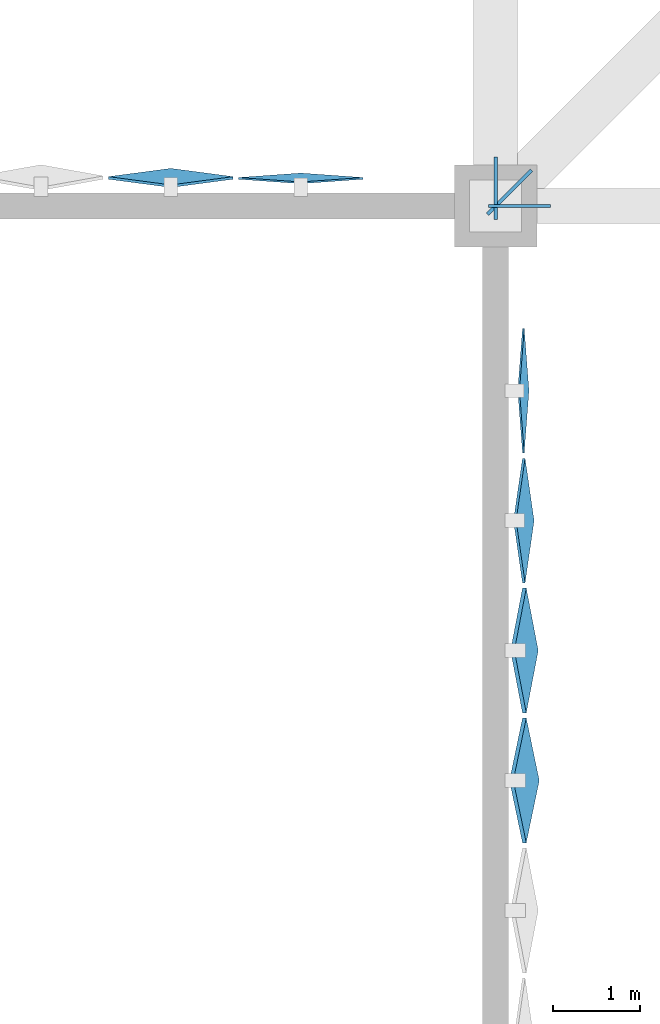
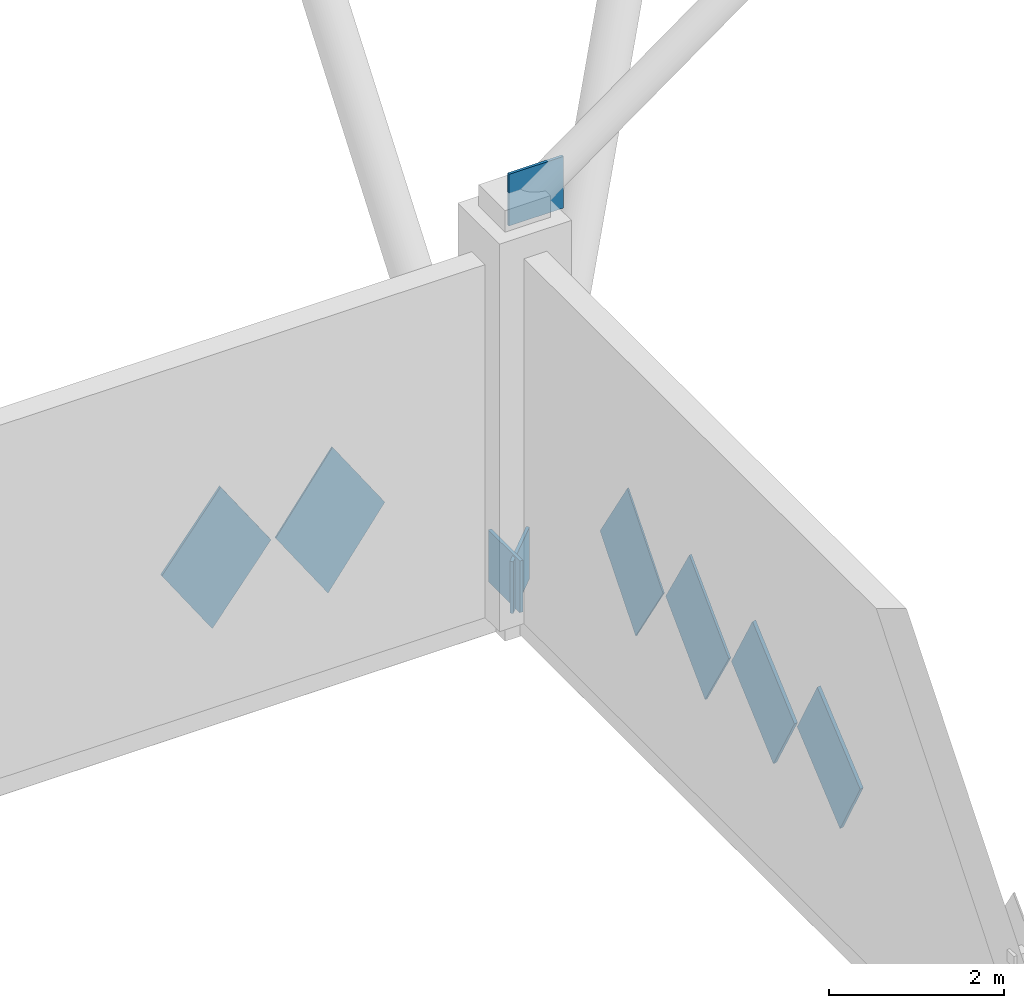
# One storey, part 77 of 119: 9 plates.
"""IFC4 building model written with IfcOpenShell, lengths in metres."""

from ifc_helpers import new_model, si_unit, direction, frame, origin, origin_2d, place, context, subcontext, project, spatial, polyline, rectangle, outline, extrude, material, layer, layer_set, type_object, element, save


model = new_model("IFC4")

# Units and contexts
model_context = context("Model", 3, precision=1e-05, world=origin(), true_north=direction((0.0, 1.0)))
body_context = subcontext(model_context, "Body", "Model", "MODEL_VIEW")
ifc_project = project(units=[si_unit("LENGTHUNIT", "METRE"), si_unit("AREAUNIT", "SQUARE_METRE"), si_unit("VOLUMEUNIT", "CUBIC_METRE"), si_unit("PLANEANGLEUNIT", "RADIAN"), si_unit("MASSUNIT", "GRAM", prefix="KILO")], contexts=[model_context])

# Site, building, storey
site_placement = place(None, origin())
site = spatial("IfcSite", under=ifc_project, at=site_placement, CompositionType="ELEMENT")
building_placement = place(site_placement, origin())
building = spatial("IfcBuilding", under=site, at=building_placement, Name="Qamarlyn Nura Convention Centre", CompositionType="ELEMENT")
storey_placement = place(building_placement, frame((0.0, 0.0, 5.39990234375)))
storey = spatial("IfcBuildingStorey", under=building, at=storey_placement, Name="L01", CompositionType="ELEMENT", Elevation=5.39990234375)

# Plates
ifc_material_1 = material(Name="White high-albedo PVDF aluminium composite sheet", Category="aluminium")
ifc_layer_1 = layer(ifc_material_1, 0.02001953125, Name="FP-DIAM-02")
ifc_layer_set_1 = layer_set([ifc_layer_1], Name="White high-albedo PVDF aluminium composite sheet")
plate_type_1 = type_object("IfcPlateType", Name="FP-DIAM-02", PredefinedType="SHEET", material=ifc_layer_set_1)
for number, where, z_axis, x_axis, name in (
    (1, (117.75, 103.31005859375, 1.7001953125), (0.0, 0.998797596236, 0.049024093608), (-1.0, 0.0, 0.0), "L01 pivoted white diamond facade tile 0157"),
    (2, (120.31005859375, 100.868896484375, 1.7001953125), (0.998638653892, 0.0, 0.052161661713), (0.0, 1.0, 0.0), "L01 pivoted white diamond facade tile 0188"),
):
    element("IfcPlate", number, at=place(storey_placement, frame(where, z_axis=z_axis, x_axis=x_axis)), inside=storey, type_object=plate_type_1, Name=name, PredefinedType="SHEET", context=body_context, shape_type="SweptSolid", body=[
        extrude(outline(polyline([(-0.719970703125, 0.0), (0.0, -1.050048828125), (0.719970703125, 0.0), (0.0, 1.050048828125), (-0.719970703125, 0.0)])), origin(), (0.0, 0.0, 1.0), 0.02001953125),
    ])
ifc_layer_2 = layer(ifc_material_1, 0.030029296875, Name="FP-DIAM-05")
ifc_layer_set_2 = layer_set([ifc_layer_2], Name="White high-albedo PVDF aluminium composite sheet")
plate_type_2 = type_object("IfcPlateType", Name="FP-DIAM-05", PredefinedType="SHEET", material=ifc_layer_set_2)
for number, where, z_axis, x_axis, name in (
    (3, (116.25, 103.31005859375, 1.7001953125), (0.0, 0.995852701205, 0.090980203904), (-1.0, 0.0, 0.0), "L01 pivoted white diamond facade tile 0156"),
    (4, (120.31005859375, 99.368896484375, 1.7001953125), (0.995090178471, 0.0, 0.098972403781), (0.0, 1.0, 0.0), "L01 pivoted white diamond facade tile 0189"),
):
    element("IfcPlate", number, at=place(storey_placement, frame(where, z_axis=z_axis, x_axis=x_axis)), inside=storey, type_object=plate_type_2, Name=name, PredefinedType="SHEET", context=body_context, shape_type="SweptSolid", body=[
        extrude(outline(polyline([(-0.719970703125, 0.0), (0.0, -1.050048828125), (0.719970703125, 0.0), (0.0, 1.050048828125), (-0.719970703125, 0.0)])), origin(), (0.0, 0.0, 1.0), 0.030029296875),
    ])
ifc_layer_3 = layer(ifc_material_1, 0.0439453125, Name="FP-DIAM-08")
ifc_layer_set_3 = layer_set([ifc_layer_3], Name="White high-albedo PVDF aluminium composite sheet")
plate_type_3 = type_object("IfcPlateType", Name="FP-DIAM-08", PredefinedType="SHEET", material=ifc_layer_set_3)
for number, where, z_axis, x_axis, name in (
    (5, (120.31005859375, 97.868896484375, 1.7001953125), (0.9913534953, 0.0, 0.131218319443), (0.0, 1.0, 0.0), "L01 pivoted white diamond facade tile 0190"),
    (6, (120.31005859375, 96.368896484375, 1.7001953125), (0.989776230908, 0.0, 0.142628933706), (0.0, 1.0, 0.0), "L01 pivoted white diamond facade tile 0191"),
):
    element("IfcPlate", number, at=place(storey_placement, frame(where, z_axis=z_axis, x_axis=x_axis)), inside=storey, type_object=plate_type_3, Name=name, PredefinedType="SHEET", context=body_context, shape_type="SweptSolid", body=[
        extrude(outline(polyline([(-0.719970703125, 0.0), (0.0, -1.050048828125), (0.719970703125, 0.0), (0.0, 1.050048828125), (-0.719970703125, 0.0)])), origin(), (0.0, 0.0, 1.0), 0.0439453125),
    ])
ifc_material_2 = material(Name="Structural steel ASTM A572 Grade 50", Category="steel")
ifc_layer_4 = layer(ifc_material_2, 0.035888671875, Name="GP-SN1")
ifc_layer_set_4 = layer_set([ifc_layer_4], Name="Structural steel ASTM A572 Grade 50")
plate_type_4 = type_object("IfcPlateType", Name="GP-SN1", PredefinedType="USERDEFINED", material=ifc_layer_set_4)
plate_placement = place(storey_placement, frame((120.275390625, 103.0, 5.2392578125), z_axis=(0.0, 0.0, 1.0), x_axis=(1.0, 0.0, 0.0)))
element("IfcPlate", 7, at=plate_placement, inside=storey, type_object=plate_type_4, Name="Tree strut gusset plate E-7-B", ObjectType="GUSSET PLATE", PredefinedType="USERDEFINED", context=body_context, shape_type="SweptSolid", body=[
    extrude(rectangle(XDim=0.719970703125, YDim=0.035888671875, at=origin_2d()), origin(), (0.0, 0.0, 1.0), 0.719970703125),
])
ifc_layer_5 = layer(ifc_material_2, 0.0419921875, Name="GP-SN2")
ifc_layer_set_5 = layer_set([ifc_layer_5], Name="Structural steel ASTM A572 Grade 50")
plate_type_5 = type_object("IfcPlateType", Name="GP-SN2", PredefinedType="USERDEFINED", material=ifc_layer_set_5)
for number, where, z_axis, x_axis, name in (
    (8, (120.0, 103.205078125, -0.0888671875), (0.0, 0.0, 1.0), (0.0, 1.0, 0.0), "Tree strut gusset plate N-10-B"),
    (9, (120.159423828125, 103.159423828125, -0.10546875), (0.0, 0.0, 1.0), (0.707106781187, 0.707106781187, 0.0), "Tree strut gusset plate NE-CRN-B"),
):
    element("IfcPlate", number, at=place(storey_placement, frame(where, z_axis=z_axis, x_axis=x_axis)), inside=storey, type_object=plate_type_5, Name=name, ObjectType="GUSSET PLATE", PredefinedType="USERDEFINED", context=body_context, shape_type="SweptSolid", body=[
        extrude(rectangle(XDim=0.719970703125, YDim=0.0419921875, at=origin_2d()), origin(), (0.0, 0.0, 1.0), 0.719970703125),
    ])

save(model, "model.ifc")
